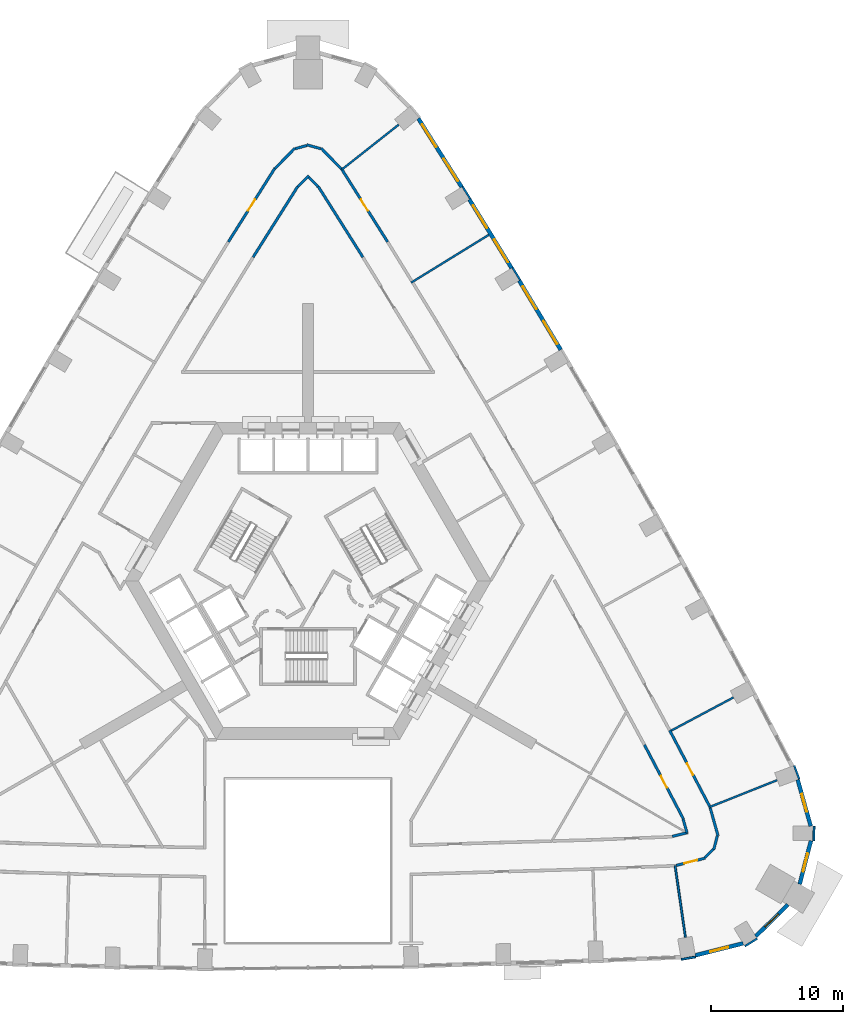
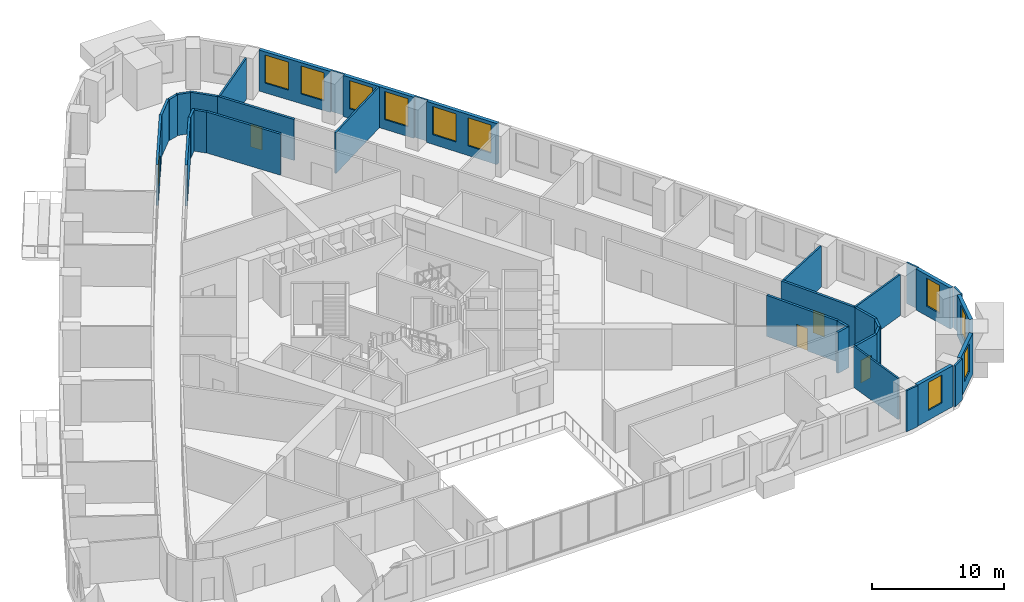
# One storey, part 11 of 15: 36 walls, 10 windows, 5 doors, 15 openings.
"""IFC4 building model written with IfcOpenShell, lengths in metres."""

from ifc_helpers import new_model, si_unit, direction, frame, frame_2d, origin, place, context, subcontext, project, spatial, rectangle, extrude, material, layer, layer_set, type_object, element, fill, save


model = new_model("IFC4")

# Units and contexts
model_context = context("Model", 3, precision=1e-05, world=origin(), true_north=direction((0.0, 1.0)))
body_context = subcontext(model_context, "Body", "Model", "MODEL_VIEW")
ifc_project = project(units=[si_unit("LENGTHUNIT", "METRE"), si_unit("AREAUNIT", "SQUARE_METRE"), si_unit("VOLUMEUNIT", "CUBIC_METRE"), si_unit("PLANEANGLEUNIT", "RADIAN"), si_unit("MASSUNIT", "GRAM", prefix="KILO")], contexts=[model_context])

# Site, building, storey
site_placement = place(None, origin())
site = spatial("IfcSite", under=ifc_project, at=site_placement, CompositionType="ELEMENT")
building_placement = place(site_placement, origin())
building = spatial("IfcBuilding", under=site, at=building_placement, Name="Entoto Arch Interchange Tower", CompositionType="ELEMENT")
storey_placement = place(building_placement, frame((0.0, 0.0, 107.60009765625)))
storey = spatial("IfcBuildingStorey", under=building, at=storey_placement, Name="L23", CompositionType="ELEMENT", Elevation=107.60009765625)

# Walls
ifc_material_1 = material(Name="Gypsum board partition on steel studs", Category="steel")
ifc_layer_1 = layer(ifc_material_1, 0.14990234375)
ifc_layer_set_1 = layer_set([ifc_layer_1], Name="Gypsum board partition on steel studs")
wall_type_1 = type_object("IfcWallType", Name="PARTITION 150", PredefinedType="PARTITIONING", material=ifc_layer_set_1)
wall_1_placement = place(storey_placement, frame((27.764892578125, -19.035888671875, 0.0), z_axis=(0.0, 0.0, 1.0), x_axis=(0.142827612329, -0.989747580526, 0.0)))
element("IfcWall", 1, at=wall_1_placement, inside=storey, type_object=wall_type_1, Name="wall:L23:p138", PredefinedType="PARTITIONING", context=body_context, shape_type="SweptSolid", body=[
    extrude(rectangle(XDim=5.46826171875, YDim=0.14990234375, at=frame_2d((2.734130859375, 0.0))), origin(), (0.0, 0.0, 1.0), 3.7998046875),
])
wall_2_placement = place(storey_placement, frame((30.39892578125, -14.587890625, 0.0), z_axis=(0.0, 0.0, 1.0), x_axis=(0.92913411584, 0.36974287658, 0.0)))
element("IfcWall", 2, at=wall_2_placement, inside=storey, type_object=wall_type_1, Name="wall:L23:p139", PredefinedType="PARTITIONING", context=body_context, shape_type="SweptSolid", body=[
    extrude(rectangle(XDim=5.468505859375, YDim=0.14990234375, at=frame_2d((2.734375, 0.0))), origin(), (0.0, 0.0, 1.0), 3.7998046875),
])
wall_3_placement = place(storey_placement, frame((27.47607421875, -8.81396484375, 0.0), z_axis=(0.0, 0.0, 1.0), x_axis=(0.882440424847, 0.47042416668, 0.0)))
element("IfcWall", 3, at=wall_3_placement, inside=storey, type_object=wall_type_1, Name="wall:L23:p140", PredefinedType="PARTITIONING", context=body_context, shape_type="SweptSolid", body=[
    extrude(rectangle(XDim=5.329345703125, YDim=0.14990234375, at=frame_2d((2.66455078125, 0.0))), origin(), (0.0, 0.0, 1.0), 3.7998046875),
])
wall_4_placement = place(storey_placement, frame((7.802001953125, 25.06396484375, 0.0), z_axis=(0.0, 0.0, 1.0), x_axis=(0.851596352662, 0.524198103901, 0.0)))
element("IfcWall", 4, at=wall_4_placement, inside=storey, type_object=wall_type_1, Name="wall:L23:p144", PredefinedType="PARTITIONING", context=body_context, shape_type="SweptSolid", body=[
    extrude(rectangle(XDim=6.89990234375, YDim=0.14990234375, at=frame_2d((3.449951171875, 0.0))), origin(), (0.0, 0.0, 1.0), 3.7998046875),
])
wall_5_placement = place(storey_placement, frame((2.56591796875, 33.6201171875, 0.0), z_axis=(0.0, 0.0, 1.0), x_axis=(0.784838195876, 0.619700739304, 0.0)))
element("IfcWall", 5, at=wall_5_placement, inside=storey, type_object=wall_type_1, Name="wall:L23:p145", PredefinedType="PARTITIONING", context=body_context, shape_type="SweptSolid", body=[
    extrude(rectangle(XDim=5.46875, YDim=0.14990234375, at=frame_2d((2.734375, 0.0))), origin(), (0.0, 0.0, 1.0), 3.7998046875),
])
ifc_layer_2 = layer(ifc_material_1, 0.199951171875)
ifc_layer_set_2 = layer_set([ifc_layer_2], Name="Gypsum board partition on steel studs")
wall_type_2 = type_object("IfcWallType", Name="PARTITION 200", PredefinedType="PARTITIONING", material=ifc_layer_set_2)
wall_6_placement = place(storey_placement, frame((4.154052734375, 26.985107421875, 0.0), z_axis=(0.0, 0.0, 1.0), x_axis=(-0.53384777413, 0.84558060175, 0.0)))
element("IfcWall", 6, at=wall_6_placement, inside=storey, type_object=wall_type_2, Name="wall:L23:p011", PredefinedType="PARTITIONING", context=body_context, shape_type="SweptSolid", body=[
    extrude(rectangle(XDim=6.32568359375, YDim=0.199951171875, at=frame_2d((3.162841796875, 0.0))), origin(), (0.0, 0.0, 1.0), 3.7998046875),
])
wall_7_placement = place(storey_placement, frame((0.760009765625, 32.321044921875, 0.0), z_axis=(0.0, 0.0, 1.0), x_axis=(-0.698898447714, 0.715220916769, 0.0)))
element("IfcWall", 7, at=wall_7_placement, inside=storey, type_object=wall_type_2, Name="wall:L23:p012", PredefinedType="PARTITIONING", context=body_context, shape_type="SweptSolid", body=[
    extrude(rectangle(XDim=0.9873046875, YDim=0.199951171875, at=frame_2d((0.49365234375, 0.0))), origin(), (0.0, 0.0, 1.0), 3.7998046875),
])
wall_8_placement = place(storey_placement, frame((0.070068359375, 33.169921875, 0.0), z_axis=(0.0, 0.0, 1.0), x_axis=(-0.699145664909, -0.714979257908, 0.0)))
element("IfcWall", 8, at=wall_8_placement, inside=storey, type_object=wall_type_2, Name="wall:L23:p013", PredefinedType="PARTITIONING", context=body_context, shape_type="SweptSolid", body=[
    extrude(rectangle(XDim=1.187255859375, YDim=0.199951171875, at=frame_2d((0.59375, 0.0))), origin(), (0.0, 0.0, 1.0), 3.7998046875),
])
wall_9_placement = place(storey_placement, frame((-0.777099609375, 32.333984375, 0.0), z_axis=(0.0, 0.0, 1.0), x_axis=(-0.53384777413, -0.84558060175, 0.0)))
element("IfcWall", 9, at=wall_9_placement, inside=storey, type_object=wall_type_2, Name="wall:L23:p014", PredefinedType="PARTITIONING", context=body_context, shape_type="SweptSolid", body=[
    extrude(rectangle(XDim=6.32568359375, YDim=0.199951171875, at=frame_2d((3.162841796875, 0.0))), origin(), (0.0, 0.0, 1.0), 3.7998046875),
])
wall_10_placement = place(storey_placement, frame((27.5458984375, -16.822021484375, 0.0), z_axis=(0.0, 0.0, 1.0), x_axis=(0.969694756333, 0.244319625777, 0.0)))
element("IfcWall", 10, at=wall_10_placement, inside=storey, type_object=wall_type_2, Name="wall:L23:p023", PredefinedType="PARTITIONING", context=body_context, shape_type="SweptSolid", body=[
    extrude(rectangle(XDim=1.191162109375, YDim=0.199951171875, at=frame_2d((0.595703125, 0.0))), origin(), (0.0, 0.0, 1.0), 3.7998046875),
])
wall_11_placement = place(storey_placement, frame((28.662109375, -16.541015625, 0.0), z_axis=(0.0, 0.0, 1.0), x_axis=(-0.270771802087, 0.96264356394, 0.0)))
element("IfcWall", 11, at=wall_11_placement, inside=storey, type_object=wall_type_2, Name="wall:L23:p024", PredefinedType="PARTITIONING", context=body_context, shape_type="SweptSolid", body=[
    extrude(rectangle(XDim=1.078369140625, YDim=0.199951171875, at=frame_2d((0.5390625, 0.0))), origin(), (0.0, 0.0, 1.0), 3.7998046875),
])

# Wall, opening, door
wall_12_placement = place(storey_placement, frame((28.389892578125, -15.4951171875, 0.0), z_axis=(0.0, 0.0, 1.0), x_axis=(-0.465367816287, 0.885117390838, 0.0)))
wall_12 = element("IfcWall", 12, at=wall_12_placement, inside=storey, type_object=wall_type_2, Name="wall:L23:p025", PredefinedType="PARTITIONING", context=body_context, shape_type="SweptSolid", body=[
    extrude(rectangle(XDim=6.325927734375, YDim=0.199951171875, at=frame_2d((3.1630859375, 0.0))), origin(), (0.0, 0.0, 1.0), 3.7998046875),
])
opening_1_placement = place(wall_12_placement, frame((2.6630859375, 0.0, 0.0)))
opening_1 = element("IfcOpeningElement", 13, at=opening_1_placement, cuts=wall_12, Name="Opening L23-D24", PredefinedType="OPENING", context=body_context, shape_type="SweptSolid", body=[
    extrude(rectangle(XDim=1.0, YDim=2.10009765625, at=frame_2d((0.5, 1.050048828125))), frame((0.0, 0.10986328125, 0.0), z_axis=(0.0, -1.0, 0.0), x_axis=(1.0, 0.0, 0.0)), (0.0, 0.0, 1.0), 0.219970703125),
])
ifc_material_2 = material(Name="Timber door leaf in Steel S235 frame", Category="steel")
door_type = type_object("IfcDoorType", Name="DOOR DS-10 1000x2100", OperationType="SINGLE_SWING_LEFT", PredefinedType="DOOR", material=ifc_material_2)
door_1_placement = place(opening_1_placement, origin())
door_1 = element("IfcDoor", 14, at=door_1_placement, inside=storey, type_object=door_type, Name="door:L23:24", OperationType="SINGLE_SWING_LEFT", OverallHeight=2.10009765625, OverallWidth=1.0, PredefinedType="DOOR", context=body_context, shape_type="SweptSolid", body=[
    extrude(rectangle(XDim=1.0, YDim=2.10009765625, at=frame_2d((0.5, 1.050048828125))), frame((0.0, 0.02490234375, 0.0), z_axis=(0.0, -1.0, 0.0), x_axis=(1.0, 0.0, 0.0)), (0.0, 0.0, 1.0), 0.050048828125),
])
fill(opening_1, door_1)

# Walls
wall_13_placement = place(storey_placement, frame((30.426025390625, -14.68505859375, 0.0), z_axis=(0.0, 0.0, 1.0), x_axis=(0.270131711391, -0.962823378664, 0.0)))
element("IfcWall", 15, at=wall_13_placement, inside=storey, type_object=wall_type_2, Name="wall:L23:p045", PredefinedType="PARTITIONING", context=body_context, shape_type="SweptSolid", body=[
    extrude(rectangle(XDim=2.16552734375, YDim=0.199951171875, at=frame_2d((1.082763671875, 0.0))), origin(), (0.0, 0.0, 1.0), 3.7998046875),
])
wall_14_placement = place(storey_placement, frame((30.958984375, -16.77099609375, 0.0), z_axis=(0.0, 0.0, 1.0), x_axis=(-0.251109729392, -0.967958627114, 0.0)))
element("IfcWall", 16, at=wall_14_placement, inside=storey, type_object=wall_type_2, Name="wall:L23:p046", PredefinedType="PARTITIONING", context=body_context, shape_type="SweptSolid", body=[
    extrude(rectangle(XDim=1.0908203125, YDim=0.199951171875, at=frame_2d((0.54541015625, 0.0))), origin(), (0.0, 0.0, 1.0), 3.7998046875),
])
wall_15_placement = place(storey_placement, frame((30.638916015625, -17.801025390625, 0.0), z_axis=(0.0, 0.0, 1.0), x_axis=(-0.713329122722, -0.700829196507, 0.0)))
element("IfcWall", 17, at=wall_15_placement, inside=storey, type_object=wall_type_2, Name="wall:L23:p047", PredefinedType="PARTITIONING", context=body_context, shape_type="SweptSolid", body=[
    extrude(rectangle(XDim=0.87890625, YDim=0.199951171875, at=frame_2d((0.439453125, 0.0))), origin(), (0.0, 0.0, 1.0), 3.7998046875),
])

# Wall, opening, door
wall_16_placement = place(storey_placement, frame((30.037109375, -18.462890625, 0.0), z_axis=(0.0, 0.0, 1.0), x_axis=(-0.969686214682, -0.244353524746, 0.0)))
wall_16 = element("IfcWall", 18, at=wall_16_placement, inside=storey, type_object=wall_type_2, Name="wall:L23:p048", PredefinedType="PARTITIONING", context=body_context, shape_type="SweptSolid", body=[
    extrude(rectangle(XDim=2.2431640625, YDim=0.199951171875, at=frame_2d((1.12158203125, 0.0))), origin(), (0.0, 0.0, 1.0), 3.7998046875),
])
opening_2_placement = place(wall_16_placement, frame((0.6220703125, 0.0, 0.0)))
opening_2 = element("IfcOpeningElement", 19, at=opening_2_placement, cuts=wall_16, Name="Opening L23-D03", PredefinedType="OPENING", context=body_context, shape_type="SweptSolid", body=[
    extrude(rectangle(XDim=1.0, YDim=2.10009765625, at=frame_2d((0.5, 1.050048828125))), frame((0.0, 0.10986328125, 0.0), z_axis=(0.0, -1.0, 0.0), x_axis=(1.0, 0.0, 0.0)), (0.0, 0.0, 1.0), 0.219970703125),
])
door_2_placement = place(opening_2_placement, origin())
door_2 = element("IfcDoor", 20, at=door_2_placement, inside=storey, type_object=door_type, Name="door:L23:03", OperationType="SINGLE_SWING_LEFT", OverallHeight=2.10009765625, OverallWidth=1.0, PredefinedType="DOOR", context=body_context, shape_type="SweptSolid", body=[
    extrude(rectangle(XDim=1.0, YDim=2.10009765625, at=frame_2d((0.5, 1.050048828125))), frame((0.0, 0.02490234375, 0.0), z_axis=(0.0, -1.0, 0.0), x_axis=(1.0, 0.0, 0.0)), (0.0, 0.0, 1.0), 0.050048828125),
])
fill(opening_2, door_2)

wall_17_placement = place(storey_placement, frame((27.35302734375, -8.7939453125, 0.0), z_axis=(0.0, 0.0, 1.0), x_axis=(0.465239168813, -0.885185017836, 0.0)))
wall_17 = element("IfcWall", 21, at=wall_17_placement, inside=storey, type_object=wall_type_2, Name="wall:L23:p049", PredefinedType="PARTITIONING", context=body_context, shape_type="SweptSolid", body=[
    extrude(rectangle(XDim=6.646240234375, YDim=0.199951171875, at=frame_2d((3.3232421875, 0.0))), origin(), (0.0, 0.0, 1.0), 3.7998046875),
])
opening_3_placement = place(wall_17_placement, frame((2.822998046875, 0.0, 0.0)))
opening_3 = element("IfcOpeningElement", 22, at=opening_3_placement, cuts=wall_17, Name="Opening L23-D04", PredefinedType="OPENING", context=body_context, shape_type="SweptSolid", body=[
    extrude(rectangle(XDim=1.0, YDim=2.10009765625, at=frame_2d((0.5, 1.050048828125))), frame((0.0, 0.10986328125, 0.0), z_axis=(0.0, -1.0, 0.0), x_axis=(1.0, 0.0, 0.0)), (0.0, 0.0, 1.0), 0.219970703125),
])
door_3_placement = place(opening_3_placement, origin())
door_3 = element("IfcDoor", 23, at=door_3_placement, inside=storey, type_object=door_type, Name="door:L23:04", OperationType="SINGLE_SWING_LEFT", OverallHeight=2.10009765625, OverallWidth=1.0, PredefinedType="DOOR", context=body_context, shape_type="SweptSolid", body=[
    extrude(rectangle(XDim=1.0, YDim=2.10009765625, at=frame_2d((0.5, 1.050048828125))), frame((0.0, 0.02490234375, 0.0), z_axis=(0.0, -1.0, 0.0), x_axis=(1.0, 0.0, 0.0)), (0.0, 0.0, 1.0), 0.050048828125),
])
fill(opening_3, door_3)

wall_18_placement = place(storey_placement, frame((2.512939453125, 33.705078125, 0.0), z_axis=(0.0, 0.0, 1.0), x_axis=(0.533874165031, -0.845563939577, 0.0)))
wall_18 = element("IfcWall", 24, at=wall_18_placement, inside=storey, type_object=wall_type_2, Name="wall:L23:p057", PredefinedType="PARTITIONING", context=body_context, shape_type="SweptSolid", body=[
    extrude(rectangle(XDim=6.571044921875, YDim=0.199951171875, at=frame_2d((3.28564453125, 0.0))), origin(), (0.0, 0.0, 1.0), 3.7998046875),
])
opening_4_placement = place(wall_18_placement, frame((2.784912109375, 0.0, 0.0)))
opening_4 = element("IfcOpeningElement", 25, at=opening_4_placement, cuts=wall_18, Name="Opening L23-D09", PredefinedType="OPENING", context=body_context, shape_type="SweptSolid", body=[
    extrude(rectangle(XDim=1.0, YDim=2.10009765625, at=frame_2d((0.5, 1.050048828125))), frame((0.0, 0.10986328125, 0.0), z_axis=(0.0, -1.0, 0.0), x_axis=(1.0, 0.0, 0.0)), (0.0, 0.0, 1.0), 0.219970703125),
])
door_4_placement = place(opening_4_placement, origin())
door_4 = element("IfcDoor", 26, at=door_4_placement, inside=storey, type_object=door_type, Name="door:L23:09", OperationType="SINGLE_SWING_LEFT", OverallHeight=2.10009765625, OverallWidth=1.0, PredefinedType="DOOR", context=body_context, shape_type="SweptSolid", body=[
    extrude(rectangle(XDim=1.0, YDim=2.10009765625, at=frame_2d((0.5, 1.050048828125))), frame((0.0, 0.02490234375, 0.0), z_axis=(0.0, -1.0, 0.0), x_axis=(1.0, 0.0, 0.0)), (0.0, 0.0, 1.0), 0.050048828125),
])
fill(opening_4, door_4)

wall_19_placement = place(storey_placement, frame((-6.02099609375, 28.14892578125, 0.0), z_axis=(0.0, 0.0, 1.0), x_axis=(0.533874165031, 0.845563939577, 0.0)))
wall_19 = element("IfcWall", 27, at=wall_19_placement, inside=storey, type_object=wall_type_2, Name="wall:L23:p060", PredefinedType="PARTITIONING", context=body_context, shape_type="SweptSolid", body=[
    extrude(rectangle(XDim=6.571044921875, YDim=0.199951171875, at=frame_2d((3.28564453125, 0.0))), origin(), (0.0, 0.0, 1.0), 3.7998046875),
])
opening_5_placement = place(wall_19_placement, frame((2.784912109375, 0.0, 0.0)))
opening_5 = element("IfcOpeningElement", 28, at=opening_5_placement, cuts=wall_19, Name="Opening L23-D10", PredefinedType="OPENING", context=body_context, shape_type="SweptSolid", body=[
    extrude(rectangle(XDim=1.0, YDim=2.10009765625, at=frame_2d((0.5, 1.050048828125))), frame((0.0, 0.10986328125, 0.0), z_axis=(0.0, -1.0, 0.0), x_axis=(1.0, 0.0, 0.0)), (0.0, 0.0, 1.0), 0.219970703125),
])
door_5_placement = place(opening_5_placement, origin())
door_5 = element("IfcDoor", 29, at=door_5_placement, inside=storey, type_object=door_type, Name="door:L23:10", OperationType="SINGLE_SWING_LEFT", OverallHeight=2.10009765625, OverallWidth=1.0, PredefinedType="DOOR", context=body_context, shape_type="SweptSolid", body=[
    extrude(rectangle(XDim=1.0, YDim=2.10009765625, at=frame_2d((0.5, 1.050048828125))), frame((0.0, 0.02490234375, 0.0), z_axis=(0.0, -1.0, 0.0), x_axis=(1.0, 0.0, 0.0)), (0.0, 0.0, 1.0), 0.050048828125),
])
fill(opening_5, door_5)

# Walls
wall_20_placement = place(storey_placement, frame((-2.49609375, 33.69189453125, 0.0), z_axis=(0.0, 0.0, 1.0), x_axis=(0.698771726105, 0.715344724449, 0.0)))
element("IfcWall", 30, at=wall_20_placement, inside=storey, type_object=wall_type_2, Name="wall:L23:p061", PredefinedType="PARTITIONING", context=body_context, shape_type="SweptSolid", body=[
    extrude(rectangle(XDim=2.16552734375, YDim=0.199951171875, at=frame_2d((1.082763671875, 0.0))), origin(), (0.0, 0.0, 1.0), 3.7998046875),
])
wall_21_placement = place(storey_placement, frame((-0.9560546875, 35.196044921875, 0.0), z_axis=(0.0, 0.0, 1.0), x_axis=(0.963772226389, 0.266726630919, 0.0)))
element("IfcWall", 31, at=wall_21_placement, inside=storey, type_object=wall_type_2, Name="wall:L23:p062", PredefinedType="PARTITIONING", context=body_context, shape_type="SweptSolid", body=[
    extrude(rectangle(XDim=0.892333984375, YDim=0.199951171875, at=frame_2d((0.4462890625, 0.0))), origin(), (0.0, 0.0, 1.0), 3.7998046875),
])
wall_22_placement = place(storey_placement, frame((-0.095947265625, 35.487060546875, 0.0), z_axis=(0.0, 0.0, 1.0), x_axis=(0.963802560401, -0.266616999767, 0.0)))
element("IfcWall", 32, at=wall_22_placement, inside=storey, type_object=wall_type_2, Name="wall:L23:p063", PredefinedType="PARTITIONING", context=body_context, shape_type="SweptSolid", body=[
    extrude(rectangle(XDim=1.091552734375, YDim=0.199951171875, at=frame_2d((0.5458984375, 0.0))), origin(), (0.0, 0.0, 1.0), 3.7998046875),
])
wall_23_placement = place(storey_placement, frame((0.98291015625, 35.240966796875, 0.0), z_axis=(0.0, 0.0, 1.0), x_axis=(0.698771726105, -0.715344724449, 0.0)))
element("IfcWall", 33, at=wall_23_placement, inside=storey, type_object=wall_type_2, Name="wall:L23:p064", PredefinedType="PARTITIONING", context=body_context, shape_type="SweptSolid", body=[
    extrude(rectangle(XDim=2.16552734375, YDim=0.199951171875, at=frame_2d((1.082763671875, 0.0))), origin(), (0.0, 0.0, 1.0), 3.7998046875),
])

# Wall, opening, window
ifc_material_3 = material(Name="Welded tuff (ignimbrite) cladding, warm buff", Category="masonry")
ifc_layer_3 = layer(ifc_material_3, 0.300048828125)
ifc_layer_set_3 = layer_set([ifc_layer_3], Name="Welded tuff (ignimbrite) cladding, warm buff")
wall_type_3 = type_object("IfcWallType", Name="STONE INFILL WALL 300", PredefinedType="STANDARD", material=ifc_layer_set_3)
wall_24_placement = place(storey_placement, frame((29.29296875, -25.818115234375, 0.0), z_axis=(0.0, 0.0, 1.0), x_axis=(0.969658938481, 0.244461741432, 0.0)))
wall_24 = element("IfcWall", 34, at=wall_24_placement, inside=storey, type_object=wall_type_3, Name="Facade wall SE-01 L23", PredefinedType="STANDARD", context=body_context, shape_type="SweptSolid", body=[
    extrude(rectangle(XDim=3.72705078125, YDim=0.300048828125, at=frame_2d((1.863525390625, 0.0))), origin(), (0.0, 0.0, 1.0), 3.7998046875),
])
opening_6_placement = place(wall_24_placement, frame((1.1640625, 0.0, 0.89990234375)))
opening_6 = element("IfcOpeningElement", 35, at=opening_6_placement, cuts=wall_24, Name="Opening WO-B", PredefinedType="OPENING", context=body_context, shape_type="SweptSolid", body=[
    extrude(rectangle(XDim=1.39990234375, YDim=2.60009765625, at=frame_2d((0.699951171875, 1.300048828125))), frame((0.0, 0.16015625, 0.0), z_axis=(0.0, -1.0, 0.0), x_axis=(1.0, 0.0, 0.0)), (0.0, 0.0, 1.0), 0.320068359375),
])
ifc_material_4 = material(Name="Clear glass, low-e double glazed", Category="glass")
window_type_1 = type_object("IfcWindowType", Name="WINDOW WO-B 1400x2600", PartitioningType="DOUBLE_PANEL_VERTICAL", PredefinedType="WINDOW", material=ifc_material_4)
window_1_placement = place(opening_6_placement, origin())
window_1 = element("IfcWindow", 36, at=window_1_placement, inside=storey, type_object=window_type_1, Name="Window WO-B SE-01 L23", OverallHeight=2.60009765625, OverallWidth=1.39990234375, PartitioningType="SINGLE_PANEL", PredefinedType="WINDOW", context=body_context, shape_type="SweptSolid", body=[
    extrude(rectangle(XDim=1.39990234375, YDim=2.60009765625, at=frame_2d((0.699951171875, 1.300048828125))), frame((0.0, 0.030029296875, 0.0), z_axis=(0.0, -1.0, 0.0), x_axis=(1.0, 0.0, 0.0)), (0.0, 0.0, 1.0), 0.06005859375),
])
fill(opening_6, window_1)

wall_25_placement = place(storey_placement, frame((33.867919921875, -24.3740234375, 0.0), z_axis=(0.0, 0.0, 1.0), x_axis=(0.712546371703, 0.701625019631, 0.0)))
wall_25 = element("IfcWall", 37, at=wall_25_placement, inside=storey, type_object=wall_type_3, Name="Facade wall SE-02 L23", PredefinedType="STANDARD", context=body_context, shape_type="SweptSolid", body=[
    extrude(rectangle(XDim=3.39794921875, YDim=0.300048828125, at=frame_2d((1.698974609375, 0.0))), origin(), (0.0, 0.0, 1.0), 3.7998046875),
])
opening_7_placement = place(wall_25_placement, frame((0.9990234375, 0.0, 0.89990234375)))
opening_7 = element("IfcOpeningElement", 38, at=opening_7_placement, cuts=wall_25, Name="Opening WO-B", PredefinedType="OPENING", context=body_context, shape_type="SweptSolid", body=[
    extrude(rectangle(XDim=1.39990234375, YDim=2.60009765625, at=frame_2d((0.699951171875, 1.300048828125))), frame((0.0, 0.16015625, 0.0), z_axis=(0.0, -1.0, 0.0), x_axis=(1.0, 0.0, 0.0)), (0.0, 0.0, 1.0), 0.320068359375),
])
window_2_placement = place(opening_7_placement, origin())
window_2 = element("IfcWindow", 39, at=window_2_placement, inside=storey, type_object=window_type_1, Name="Window WO-B SE-02 L23", OverallHeight=2.60009765625, OverallWidth=1.39990234375, PartitioningType="SINGLE_PANEL", PredefinedType="WINDOW", context=body_context, shape_type="SweptSolid", body=[
    extrude(rectangle(XDim=1.39990234375, YDim=2.60009765625, at=frame_2d((0.699951171875, 1.300048828125))), frame((0.0, 0.030029296875, 0.0), z_axis=(0.0, -1.0, 0.0), x_axis=(1.0, 0.0, 0.0)), (0.0, 0.0, 1.0), 0.06005859375),
])
fill(opening_7, window_2)

wall_26_placement = place(storey_placement, frame((37.18896484375, -20.43310546875, 0.0), z_axis=(0.0, 0.0, 1.0), x_axis=(0.251046938153, 0.967974914367, 0.0)))
wall_26 = element("IfcWall", 40, at=wall_26_placement, inside=storey, type_object=wall_type_3, Name="Facade wall SE-03 L23", PredefinedType="STANDARD", context=body_context, shape_type="SweptSolid", body=[
    extrude(rectangle(XDim=3.39794921875, YDim=0.300048828125, at=frame_2d((1.698974609375, 0.0))), origin(), (0.0, 0.0, 1.0), 3.7998046875),
])
opening_8_placement = place(wall_26_placement, frame((0.9990234375, 0.0, 0.89990234375)))
opening_8 = element("IfcOpeningElement", 41, at=opening_8_placement, cuts=wall_26, Name="Opening WO-B", PredefinedType="OPENING", context=body_context, shape_type="SweptSolid", body=[
    extrude(rectangle(XDim=1.39990234375, YDim=2.60009765625, at=frame_2d((0.699951171875, 1.300048828125))), frame((0.0, 0.16015625, 0.0), z_axis=(0.0, -1.0, 0.0), x_axis=(1.0, 0.0, 0.0)), (0.0, 0.0, 1.0), 0.320068359375),
])
window_3_placement = place(opening_8_placement, origin())
window_3 = element("IfcWindow", 42, at=window_3_placement, inside=storey, type_object=window_type_1, Name="Window WO-B SE-03 L23", OverallHeight=2.60009765625, OverallWidth=1.39990234375, PartitioningType="SINGLE_PANEL", PredefinedType="WINDOW", context=body_context, shape_type="SweptSolid", body=[
    extrude(rectangle(XDim=1.39990234375, YDim=2.60009765625, at=frame_2d((0.699951171875, 1.300048828125))), frame((0.0, 0.030029296875, 0.0), z_axis=(0.0, -1.0, 0.0), x_axis=(1.0, 0.0, 0.0)), (0.0, 0.0, 1.0), 0.06005859375),
])
fill(opening_8, window_3)

wall_27_placement = place(storey_placement, frame((38.02587890625, -16.0458984375, 0.0), z_axis=(0.0, 0.0, 1.0), x_axis=(-0.270054089595, 0.96284515302, 0.0)))
wall_27 = element("IfcWall", 43, at=wall_27_placement, inside=storey, type_object=wall_type_3, Name="Facade wall SE-04 L23", PredefinedType="STANDARD", context=body_context, shape_type="SweptSolid", body=[
    extrude(rectangle(XDim=3.650634765625, YDim=0.300048828125, at=frame_2d((1.8251953125, 0.0))), origin(), (0.0, 0.0, 1.0), 3.7998046875),
])
opening_9_placement = place(wall_27_placement, frame((1.125, 0.0, 0.89990234375)))
opening_9 = element("IfcOpeningElement", 44, at=opening_9_placement, cuts=wall_27, Name="Opening WO-B", PredefinedType="OPENING", context=body_context, shape_type="SweptSolid", body=[
    extrude(rectangle(XDim=1.39990234375, YDim=2.60009765625, at=frame_2d((0.699951171875, 1.300048828125))), frame((0.0, 0.16015625, 0.0), z_axis=(0.0, -1.0, 0.0), x_axis=(1.0, 0.0, 0.0)), (0.0, 0.0, 1.0), 0.320068359375),
])
window_4_placement = place(opening_9_placement, origin())
window_4 = element("IfcWindow", 45, at=window_4_placement, inside=storey, type_object=window_type_1, Name="Window WO-B SE-04 L23", OverallHeight=2.60009765625, OverallWidth=1.39990234375, PartitioningType="SINGLE_PANEL", PredefinedType="WINDOW", context=body_context, shape_type="SweptSolid", body=[
    extrude(rectangle(XDim=1.39990234375, YDim=2.60009765625, at=frame_2d((0.699951171875, 1.300048828125))), frame((0.0, 0.030029296875, 0.0), z_axis=(0.0, -1.0, 0.0), x_axis=(1.0, 0.0, 0.0)), (0.0, 0.0, 1.0), 0.06005859375),
])
fill(opening_9, window_4)

# Wall, openings, windows
wall_28_placement = place(storey_placement, frame((19.116943359375, 19.987060546875, 0.0), z_axis=(0.0, 0.0, 1.0), x_axis=(-0.514560454873, 0.857454102726, 0.0)))
wall_28 = element("IfcWall", 46, at=wall_28_placement, inside=storey, type_object=wall_type_3, Name="Facade wall NE-06 L23", PredefinedType="STANDARD", context=body_context, shape_type="SweptSolid", body=[
    extrude(rectangle(XDim=6.10400390625, YDim=0.300048828125, at=frame_2d((3.052001953125, 0.0))), origin(), (0.0, 0.0, 1.0), 3.7998046875),
])
opening_10_placement = place(wall_28_placement, frame((0.52587890625, 0.0, 0.89990234375)))
opening_10 = element("IfcOpeningElement", 47, at=opening_10_placement, cuts=wall_28, Name="Opening WO-C", PredefinedType="OPENING", context=body_context, shape_type="SweptSolid", body=[
    extrude(rectangle(XDim=2.0, YDim=2.60009765625, at=frame_2d((1.0, 1.300048828125))), frame((0.0, 0.16015625, 0.0), z_axis=(0.0, -1.0, 0.0), x_axis=(1.0, 0.0, 0.0)), (0.0, 0.0, 1.0), 0.320068359375),
])
opening_11_placement = place(wall_28_placement, frame((3.577880859375, 0.0, 0.89990234375)))
opening_11 = element("IfcOpeningElement", 48, at=opening_11_placement, cuts=wall_28, Name="Opening WO-C", PredefinedType="OPENING", context=body_context, shape_type="SweptSolid", body=[
    extrude(rectangle(XDim=2.0, YDim=2.60009765625, at=frame_2d((1.0, 1.300048828125))), frame((0.0, 0.16015625, 0.0), z_axis=(0.0, -1.0, 0.0), x_axis=(1.0, 0.0, 0.0)), (0.0, 0.0, 1.0), 0.320068359375),
])
window_type_2 = type_object("IfcWindowType", Name="WINDOW WO-C 2000x2600", PartitioningType="DOUBLE_PANEL_VERTICAL", PredefinedType="WINDOW", material=ifc_material_4)
window_5_placement = place(opening_10_placement, origin())
window_5 = element("IfcWindow", 49, at=window_5_placement, inside=storey, type_object=window_type_2, Name="Window WO-C NE-06 L23", OverallHeight=2.60009765625, OverallWidth=2.0, PartitioningType="SINGLE_PANEL", PredefinedType="WINDOW", context=body_context, shape_type="SweptSolid", body=[
    extrude(rectangle(XDim=2.0, YDim=2.60009765625, at=frame_2d((1.0, 1.300048828125))), frame((0.0, 0.030029296875, 0.0), z_axis=(0.0, -1.0, 0.0), x_axis=(1.0, 0.0, 0.0)), (0.0, 0.0, 1.0), 0.06005859375),
])
fill(opening_10, window_5)
window_6_placement = place(opening_11_placement, origin())
window_6 = element("IfcWindow", 50, at=window_6_placement, inside=storey, type_object=window_type_2, Name="Window WO-C NE-06 L23", OverallHeight=2.60009765625, OverallWidth=2.0, PartitioningType="SINGLE_PANEL", PredefinedType="WINDOW", context=body_context, shape_type="SweptSolid", body=[
    extrude(rectangle(XDim=2.0, YDim=2.60009765625, at=frame_2d((1.0, 1.300048828125))), frame((0.0, 0.030029296875, 0.0), z_axis=(0.0, -1.0, 0.0), x_axis=(1.0, 0.0, 0.0)), (0.0, 0.0, 1.0), 0.06005859375),
])
fill(opening_11, window_6)

wall_29_placement = place(storey_placement, frame((15.406005859375, 26.159912109375, 0.0), z_axis=(0.0, 0.0, 1.0), x_axis=(-0.524121974895, 0.851643208998, 0.0)))
wall_29 = element("IfcWall", 51, at=wall_29_placement, inside=storey, type_object=wall_type_3, Name="Facade wall NE-07 L23", PredefinedType="STANDARD", context=body_context, shape_type="SweptSolid", body=[
    extrude(rectangle(XDim=6.103515625, YDim=0.300048828125, at=frame_2d((3.0517578125, 0.0))), origin(), (0.0, 0.0, 1.0), 3.7998046875),
])
opening_12_placement = place(wall_29_placement, frame((0.52587890625, 0.0, 0.89990234375)))
opening_12 = element("IfcOpeningElement", 52, at=opening_12_placement, cuts=wall_29, Name="Opening WO-C", PredefinedType="OPENING", context=body_context, shape_type="SweptSolid", body=[
    extrude(rectangle(XDim=2.0, YDim=2.60009765625, at=frame_2d((1.0, 1.300048828125))), frame((0.0, 0.16015625, 0.0), z_axis=(0.0, -1.0, 0.0), x_axis=(1.0, 0.0, 0.0)), (0.0, 0.0, 1.0), 0.320068359375),
])
opening_13_placement = place(wall_29_placement, frame((3.577880859375, 0.0, 0.89990234375)))
opening_13 = element("IfcOpeningElement", 53, at=opening_13_placement, cuts=wall_29, Name="Opening WO-C", PredefinedType="OPENING", context=body_context, shape_type="SweptSolid", body=[
    extrude(rectangle(XDim=2.0, YDim=2.60009765625, at=frame_2d((1.0, 1.300048828125))), frame((0.0, 0.16015625, 0.0), z_axis=(0.0, -1.0, 0.0), x_axis=(1.0, 0.0, 0.0)), (0.0, 0.0, 1.0), 0.320068359375),
])
window_7_placement = place(opening_12_placement, origin())
window_7 = element("IfcWindow", 54, at=window_7_placement, inside=storey, type_object=window_type_2, Name="Window WO-C NE-07 L23", OverallHeight=2.60009765625, OverallWidth=2.0, PartitioningType="SINGLE_PANEL", PredefinedType="WINDOW", context=body_context, shape_type="SweptSolid", body=[
    extrude(rectangle(XDim=2.0, YDim=2.60009765625, at=frame_2d((1.0, 1.300048828125))), frame((0.0, 0.030029296875, 0.0), z_axis=(0.0, -1.0, 0.0), x_axis=(1.0, 0.0, 0.0)), (0.0, 0.0, 1.0), 0.06005859375),
])
fill(opening_12, window_7)
window_8_placement = place(opening_13_placement, origin())
window_8 = element("IfcWindow", 55, at=window_8_placement, inside=storey, type_object=window_type_2, Name="Window WO-C NE-07 L23", OverallHeight=2.60009765625, OverallWidth=2.0, PartitioningType="SINGLE_PANEL", PredefinedType="WINDOW", context=body_context, shape_type="SweptSolid", body=[
    extrude(rectangle(XDim=2.0, YDim=2.60009765625, at=frame_2d((1.0, 1.300048828125))), frame((0.0, 0.030029296875, 0.0), z_axis=(0.0, -1.0, 0.0), x_axis=(1.0, 0.0, 0.0)), (0.0, 0.0, 1.0), 0.06005859375),
])
fill(opening_13, window_8)

wall_30_placement = place(storey_placement, frame((11.6259765625, 32.2900390625, 0.0), z_axis=(0.0, 0.0, 1.0), x_axis=(-0.534018429465, 0.845472836342, 0.0)))
wall_30 = element("IfcWall", 56, at=wall_30_placement, inside=storey, type_object=wall_type_3, Name="Facade wall NE-08 L23", PredefinedType="STANDARD", context=body_context, shape_type="SweptSolid", body=[
    extrude(rectangle(XDim=6.138427734375, YDim=0.300048828125, at=frame_2d((3.0693359375, 0.0))), origin(), (0.0, 0.0, 1.0), 3.7998046875),
])
opening_14_placement = place(wall_30_placement, frame((0.534912109375, 0.0, 0.89990234375)))
opening_14 = element("IfcOpeningElement", 57, at=opening_14_placement, cuts=wall_30, Name="Opening WO-C", PredefinedType="OPENING", context=body_context, shape_type="SweptSolid", body=[
    extrude(rectangle(XDim=2.0, YDim=2.60009765625, at=frame_2d((1.0, 1.300048828125))), frame((0.0, 0.16015625, 0.0), z_axis=(0.0, -1.0, 0.0), x_axis=(1.0, 0.0, 0.0)), (0.0, 0.0, 1.0), 0.320068359375),
])
opening_15_placement = place(wall_30_placement, frame((3.60400390625, 0.0, 0.89990234375)))
opening_15 = element("IfcOpeningElement", 58, at=opening_15_placement, cuts=wall_30, Name="Opening WO-C", PredefinedType="OPENING", context=body_context, shape_type="SweptSolid", body=[
    extrude(rectangle(XDim=2.0, YDim=2.60009765625, at=frame_2d((1.0, 1.300048828125))), frame((0.0, 0.16015625, 0.0), z_axis=(0.0, -1.0, 0.0), x_axis=(1.0, 0.0, 0.0)), (0.0, 0.0, 1.0), 0.320068359375),
])
window_9_placement = place(opening_14_placement, origin())
window_9 = element("IfcWindow", 59, at=window_9_placement, inside=storey, type_object=window_type_2, Name="Window WO-C NE-08 L23", OverallHeight=2.60009765625, OverallWidth=2.0, PartitioningType="SINGLE_PANEL", PredefinedType="WINDOW", context=body_context, shape_type="SweptSolid", body=[
    extrude(rectangle(XDim=2.0, YDim=2.60009765625, at=frame_2d((1.0, 1.300048828125))), frame((0.0, 0.030029296875, 0.0), z_axis=(0.0, -1.0, 0.0), x_axis=(1.0, 0.0, 0.0)), (0.0, 0.0, 1.0), 0.06005859375),
])
fill(opening_14, window_9)
window_10_placement = place(opening_15_placement, origin())
window_10 = element("IfcWindow", 60, at=window_10_placement, inside=storey, type_object=window_type_2, Name="Window WO-C NE-08 L23", OverallHeight=2.60009765625, OverallWidth=2.0, PartitioningType="SINGLE_PANEL", PredefinedType="WINDOW", context=body_context, shape_type="SweptSolid", body=[
    extrude(rectangle(XDim=2.0, YDim=2.60009765625, at=frame_2d((1.0, 1.300048828125))), frame((0.0, 0.030029296875, 0.0), z_axis=(0.0, -1.0, 0.0), x_axis=(1.0, 0.0, 0.0)), (0.0, 0.0, 1.0), 0.06005859375),
])
fill(opening_15, window_10)

# Walls
ifc_layer_4 = layer(ifc_material_3, 0.14990234375)
ifc_layer_set_4 = layer_set([ifc_layer_4], Name="Welded tuff (ignimbrite) cladding, warm buff")
wall_type_4 = type_object("IfcWallType", Name="STONE PIER CLADDING 150", PredefinedType="STANDARD", material=ifc_layer_set_4)
for number, where, z_axis, x_axis, name in (
    (61, (37.153076171875, -12.489990234375, 0.0), (0.0, 0.0, 1.0), (-0.347205967468, 0.937788897436, 0.0), "Stone pier NE01 L23"),
    (62, (16.0439453125, 25.260986328125, 0.0), (0.0, 0.0, 1.0), (-0.519869515594, 0.854245682901, 0.0), "Stone pier NE07 L23"),
    (63, (12.27392578125, 31.39892578125, 0.0), (0.0, 0.0, 1.0), (-0.529879262372, 0.848073090782, 0.0), "Stone pier NE08 L23"),
):
    element("IfcWall", number, at=place(storey_placement, frame(where, z_axis=z_axis, x_axis=x_axis)), inside=storey, type_object=wall_type_4, Name=name, PredefinedType="STANDARD", context=body_context, shape_type="SweptSolid", body=[
        extrude(rectangle(XDim=1.100341796875, YDim=0.14990234375, at=frame_2d((0.55029296875, 0.0))), origin(), (0.0, 0.0, 1.0), 3.7998046875),
    ])
wall_31_placement = place(storey_placement, frame((28.22900390625, -26.1201171875, 0.0), z_axis=(0.0, 0.0, 1.0), x_axis=(0.985763338892, 0.168138751323, 0.0)))
element("IfcWall", 64, at=wall_31_placement, inside=storey, type_object=wall_type_4, Name="Stone pier S08 L23", PredefinedType="STANDARD", context=body_context, shape_type="SweptSolid", body=[
    extrude(rectangle(XDim=1.1005859375, YDim=0.14990234375, at=frame_2d((0.55029296875, 0.0))), origin(), (0.0, 0.0, 1.0), 3.7998046875),
])
wall_32_placement = place(storey_placement, frame((33.037109375, -25.123046875, 0.0), z_axis=(0.0, 0.0, 1.0), x_axis=(0.854245682901, 0.519869515594, 0.0)))
element("IfcWall", 65, at=wall_32_placement, inside=storey, type_object=wall_type_4, Name="Stone pier SE1 L23", PredefinedType="STANDARD", context=body_context, shape_type="SweptSolid", body=[
    extrude(rectangle(XDim=1.100341796875, YDim=0.14990234375, at=frame_2d((0.55029296875, 0.0))), origin(), (0.0, 0.0, 1.0), 3.7998046875),
])
wall_33_placement = place(storey_placement, frame((38.25, -17.14990234375, 0.0), z_axis=(0.0, 0.0, 1.0), x_axis=(0.023522901136, 0.999723298279, 0.0)))
element("IfcWall", 66, at=wall_33_placement, inside=storey, type_object=wall_type_4, Name="Stone pier SE3 L23", PredefinedType="STANDARD", context=body_context, shape_type="SweptSolid", body=[
    extrude(rectangle(XDim=1.10009765625, YDim=0.14990234375, at=frame_2d((0.550048828125, 0.0))), origin(), (0.0, 0.0, 1.0), 3.7998046875),
])

save(model, "model.ifc")
